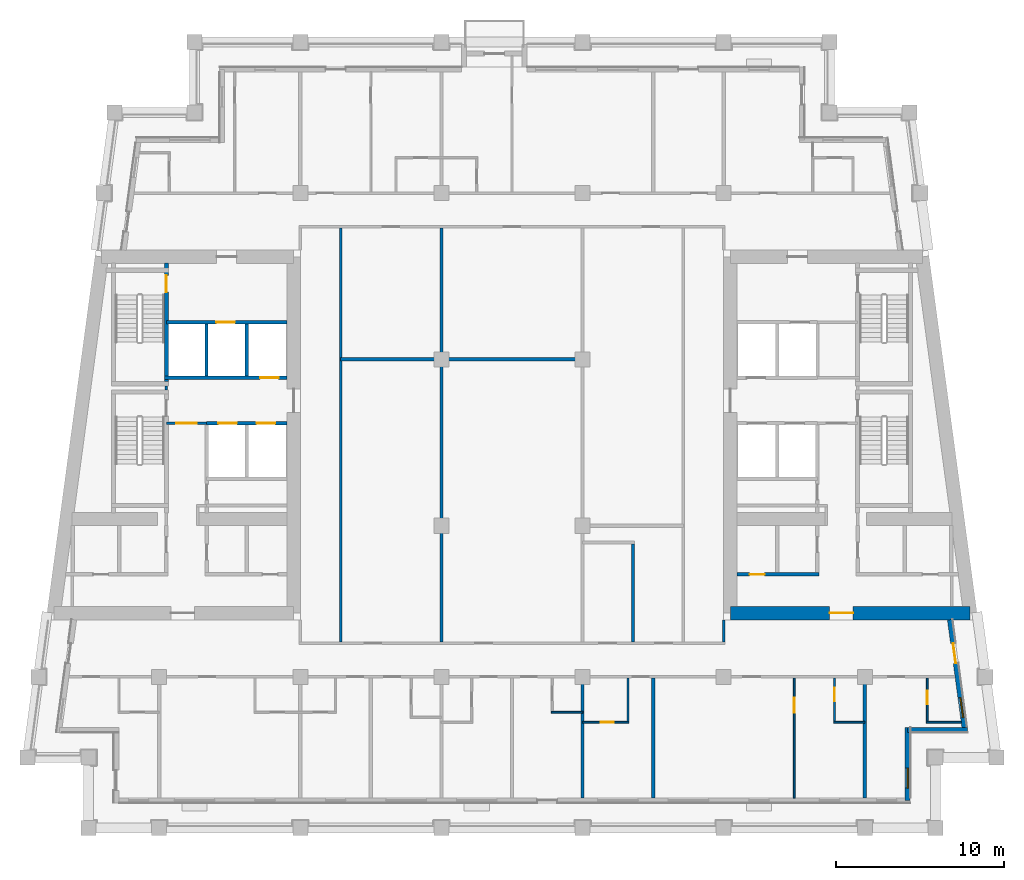
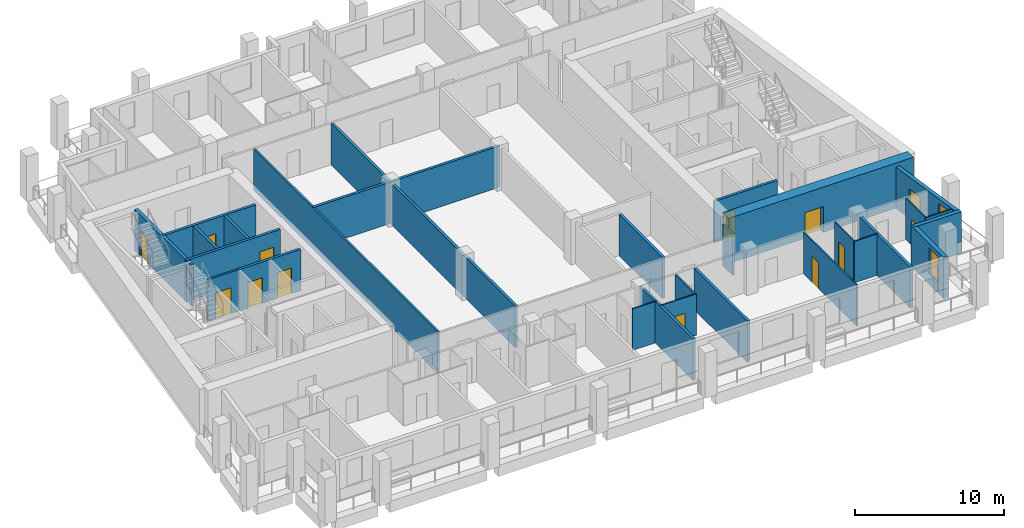
# One storey, part 4 of 13: 29 walls, 13 doors, 2 windows, 15 openings.
"""IFC4 building model written with IfcOpenShell, lengths in metres."""

from ifc_helpers import new_model, si_unit, direction, frame, frame_2d, origin, place, context, subcontext, project, spatial, rectangle, extrude, material, layer, layer_set, type_object, element, fill, save


model = new_model("IFC4")

# Units and contexts
model_context = context("Model", 3, precision=1e-05, world=origin(), true_north=direction((0.0, 1.0)))
body_context = subcontext(model_context, "Body", "Model", "MODEL_VIEW")
ifc_project = project(units=[si_unit("LENGTHUNIT", "METRE"), si_unit("AREAUNIT", "SQUARE_METRE"), si_unit("VOLUMEUNIT", "CUBIC_METRE"), si_unit("PLANEANGLEUNIT", "RADIAN"), si_unit("MASSUNIT", "GRAM", prefix="KILO")], contexts=[model_context])

# Site, building, storey
site_placement = place(None, origin())
site = spatial("IfcSite", under=ifc_project, at=site_placement, CompositionType="ELEMENT")
building_placement = place(site_placement, origin())
building = spatial("IfcBuilding", under=site, at=building_placement, Name="Candeia Pilgrim Tower and Theatre", CompositionType="ELEMENT")
storey_placement = place(building_placement, frame((0.0, 0.0, 239.199951171875)))
storey = spatial("IfcBuildingStorey", under=building, at=storey_placement, Name="L58", CompositionType="ELEMENT", Elevation=239.199951171875)

# Wall, opening, door
ifc_material_1 = material(Name="Concrete C50/60", Category="concrete")
ifc_layer_1 = layer(ifc_material_1, 0.800048828125)
ifc_layer_set_1 = layer_set([ifc_layer_1], Name="Core wall 800 C50/60")
wall_type_1 = type_object("IfcWallType", Name="Core wall 800 C50/60", PredefinedType="SHEAR", material=ifc_layer_set_1)
wall_1_placement = place(storey_placement, frame((140.67333984375, 110.800048828125, 0.0), z_axis=(0.0, 0.0, 1.0), x_axis=(-1.0, 0.0, 0.0)))
wall_1 = element("IfcWall", 1, at=wall_1_placement, inside=storey, type_object=wall_type_1, Name="Core wall E3", PredefinedType="SHEAR", context=body_context, shape_type="SweptSolid", body=[
    extrude(rectangle(XDim=14.2734375, YDim=0.800048828125, at=frame_2d((7.13671875, 0.0))), origin(), (0.0, 0.0, 1.0), 3.699951171875),
])
opening_1_placement = place(wall_1_placement, frame((6.96533203125, 0.0, 0.0)))
opening_1 = element("IfcOpeningElement", 2, at=opening_1_placement, cuts=wall_1, Name="Opening L58-D059", PredefinedType="OPENING", context=body_context, shape_type="SweptSolid", body=[
    extrude(rectangle(XDim=1.39990234375, YDim=2.10009765625, at=frame_2d((0.699951171875, 1.050048828125))), frame((0.0, 0.41015625, 0.0), z_axis=(0.0, -1.0, 0.0), x_axis=(1.0, 0.0, 0.0)), (0.0, 0.0, 1.0), 0.820068359375),
])
ifc_material_2 = material(Name="Steel fire door set", Category="steel")
door_type_1 = type_object("IfcDoorType", Name="D-1400-FD60", OperationType="NOTDEFINED", PredefinedType="DOOR", material=ifc_material_2)
door_1_placement = place(opening_1_placement, origin())
door_1 = element("IfcDoor", 3, at=door_1_placement, inside=storey, type_object=door_type_1, Name="Door L58-D059", OperationType="SINGLE_SWING_LEFT", OverallHeight=2.10009765625, OverallWidth=1.39990234375, PredefinedType="DOOR", context=body_context, shape_type="SweptSolid", body=[
    extrude(rectangle(XDim=1.39990234375, YDim=2.10009765625, at=frame_2d((0.699951171875, 1.050048828125))), frame((0.0, 0.02490234375, 0.0), z_axis=(0.0, -1.0, 0.0), x_axis=(1.0, 0.0, 0.0)), (0.0, 0.0, 1.0), 0.050048828125),
])
fill(opening_1, door_1)

# Wall, opening, window
ifc_material_3 = material(Name="Ceramic block masonry", Category="masonry")
ifc_layer_2 = layer(ifc_material_3, 0.300048828125)
ifc_layer_set_2 = layer_set([ifc_layer_2], Name="EW1 glazing-line wall 300")
wall_type_2 = type_object("IfcWallType", Name="EW1 glazing-line wall 300", PredefinedType="SOLIDWALL", material=ifc_layer_set_2)
wall_2_placement = place(storey_placement, frame((136.949951171875, 99.64990234375, 0.0), z_axis=(0.0, 0.0, 1.0), x_axis=(0.0, 1.0, 0.0)))
wall_2 = element("IfcWall", 4, at=wall_2_placement, inside=storey, type_object=wall_type_2, Name="External wall L58-1.0", PredefinedType="SOLIDWALL", context=body_context, shape_type="SweptSolid", body=[
    extrude(rectangle(XDim=4.35009765625, YDim=0.300048828125, at=frame_2d((2.175048828125, 0.0))), origin(), (0.0, 0.0, 1.0), 3.380126953125),
])
opening_2_placement = place(wall_2_placement, frame((0.72509765625, 0.0, 0.89990234375)))
opening_2 = element("IfcOpeningElement", 5, at=opening_2_placement, cuts=wall_2, Name="Opening W-B", PredefinedType="OPENING", context=body_context, shape_type="SweptSolid", body=[
    extrude(rectangle(XDim=1.199951171875, YDim=2.10009765625, at=frame_2d((0.60009765625, 1.050048828125))), frame((0.0, 0.16015625, 0.0), z_axis=(0.0, -1.0, 0.0), x_axis=(1.0, 0.0, 0.0)), (0.0, 0.0, 1.0), 0.320068359375),
])
ifc_material_4 = material(Name="Aluminium framed double glazing", Category="aluminium")
window_type = type_object("IfcWindowType", Name="W-B window 1200x2100", PartitioningType="SINGLE_PANEL", PredefinedType="WINDOW", material=ifc_material_4)
window_1_placement = place(opening_2_placement, origin())
window_1 = element("IfcWindow", 6, at=window_1_placement, inside=storey, type_object=window_type, Name="Window W-B L58", OverallHeight=2.10009765625, OverallWidth=1.199951171875, PartitioningType="SINGLE_PANEL", PredefinedType="WINDOW", context=body_context, shape_type="SweptSolid", body=[
    extrude(rectangle(XDim=1.199951171875, YDim=2.10009765625, at=frame_2d((0.60009765625, 1.050048828125))), frame((0.0, 0.030029296875, 0.0), z_axis=(0.0, -1.0, 0.0), x_axis=(1.0, 0.0, 0.0)), (0.0, 0.0, 1.0), 0.06005859375),
])
fill(opening_2, window_1)

# Wall
wall_3_placement = place(storey_placement, frame((136.949951171875, 103.85009765625, 0.0), z_axis=(0.0, 0.0, 1.0), x_axis=(1.0, 0.0, 0.0)))
element("IfcWall", 7, at=wall_3_placement, inside=storey, type_object=wall_type_2, Name="External wall L58-2.0", PredefinedType="SOLIDWALL", context=body_context, shape_type="SweptSolid", body=[
    extrude(rectangle(XDim=3.569091796875, YDim=0.300048828125, at=frame_2d((1.78466796875, 0.0))), origin(), (0.0, 0.0, 1.0), 3.380126953125),
])

# Wall, openings, door, window
wall_4_placement = place(storey_placement, frame((140.34765625, 103.85009765625, 0.0), z_axis=(0.0, 0.0, 1.0), x_axis=(-0.133431549479, 0.991058031401, 0.0)))
wall_4 = element("IfcWall", 8, at=wall_4_placement, inside=storey, type_object=wall_type_2, Name="External wall L58-3.0", PredefinedType="SOLIDWALL", context=body_context, shape_type="SweptSolid", body=[
    extrude(rectangle(XDim=6.60888671875, YDim=0.300048828125, at=frame_2d((3.304443359375, 0.0))), origin(), (0.0, 0.0, 1.0), 3.380126953125),
])
opening_3_placement = place(wall_4_placement, frame((0.736572265625, 0.0, 0.89990234375)))
opening_3 = element("IfcOpeningElement", 9, at=opening_3_placement, cuts=wall_4, Name="Opening W-B", PredefinedType="OPENING", context=body_context, shape_type="SweptSolid", body=[
    extrude(rectangle(XDim=1.199951171875, YDim=2.10009765625, at=frame_2d((0.60009765625, 1.050048828125))), frame((0.0, 0.16015625, 0.0), z_axis=(0.0, -1.0, 0.0), x_axis=(1.0, 0.0, 0.0)), (0.0, 0.0, 1.0), 0.320068359375),
])
opening_4_placement = place(wall_4_placement, frame((3.990966796875, 0.0, 0.0)))
opening_4 = element("IfcOpeningElement", 10, at=opening_4_placement, cuts=wall_4, Name="Opening L58-ED558", PredefinedType="OPENING", context=body_context, shape_type="SweptSolid", body=[
    extrude(rectangle(XDim=1.199951171875, YDim=2.39990234375, at=frame_2d((0.60009765625, 1.199951171875))), frame((0.0, 0.16015625, 0.0), z_axis=(0.0, -1.0, 0.0), x_axis=(1.0, 0.0, 0.0)), (0.0, 0.0, 1.0), 0.320068359375),
])
ifc_material_5 = material(Name="Aluminium framed glazed door", Category="aluminium")
door_type_2 = type_object("IfcDoorType", Name="Loggia door 1200x2400", OperationType="DOUBLE_DOOR_SINGLE_SWING", PredefinedType="DOOR", material=ifc_material_5)
door_2_placement = place(opening_4_placement, origin())
door_2 = element("IfcDoor", 11, at=door_2_placement, inside=storey, type_object=door_type_2, Name="Loggia door L58-ED558", OperationType="DOUBLE_DOOR_SINGLE_SWING", OverallHeight=2.39990234375, OverallWidth=1.199951171875, PredefinedType="DOOR", context=body_context, shape_type="SweptSolid", body=[
    extrude(rectangle(XDim=1.199951171875, YDim=2.39990234375, at=frame_2d((0.60009765625, 1.199951171875))), frame((0.0, 0.02490234375, 0.0), z_axis=(0.0, -1.0, 0.0), x_axis=(1.0, 0.0, 0.0)), (0.0, 0.0, 1.0), 0.050048828125),
])
fill(opening_4, door_2)
window_2_placement = place(opening_3_placement, origin())
window_2 = element("IfcWindow", 12, at=window_2_placement, inside=storey, type_object=window_type, Name="Window W-B L58", OverallHeight=2.10009765625, OverallWidth=1.199951171875, PartitioningType="SINGLE_PANEL", PredefinedType="WINDOW", context=body_context, shape_type="SweptSolid", body=[
    extrude(rectangle(XDim=1.199951171875, YDim=2.10009765625, at=frame_2d((0.60009765625, 1.050048828125))), frame((0.0, 0.030029296875, 0.0), z_axis=(0.0, -1.0, 0.0), x_axis=(1.0, 0.0, 0.0)), (0.0, 0.0, 1.0), 0.06005859375),
])
fill(opening_3, window_2)

# Wall, opening, door
ifc_material_6 = material(Name="Gypsum board partition on steel studs", Category="steel")
ifc_layer_3 = layer(ifc_material_6, 0.10009765625)
ifc_layer_set_3 = layer_set([ifc_layer_3], Name="PW-100 room partition")
wall_type_3 = type_object("IfcWallType", Name="PW-100 room partition", PredefinedType="PARTITIONING", material=ifc_layer_set_3)
wall_5_placement = place(storey_placement, frame((117.60009765625, 104.300048828125, 0.0), z_axis=(0.0, 0.0, 1.0), x_axis=(1.0, 0.0, 0.0)))
wall_5 = element("IfcWall", 13, at=wall_5_placement, inside=storey, type_object=wall_type_3, Name="Room partition L58-002", PredefinedType="PARTITIONING", context=body_context, shape_type="SweptSolid", body=[
    extrude(rectangle(XDim=2.75, YDim=0.10009765625, at=frame_2d((1.375, 0.0))), origin(), (0.0, 0.0, 1.0), 3.380126953125),
])
opening_5_placement = place(wall_5_placement, frame((1.070068359375, 0.0, 0.0)))
opening_5 = element("IfcOpeningElement", 14, at=opening_5_placement, cuts=wall_5, Name="Opening L58-D030", PredefinedType="OPENING", context=body_context, shape_type="SweptSolid", body=[
    extrude(rectangle(XDim=0.800048828125, YDim=2.10009765625, at=frame_2d((0.39990234375, 1.050048828125))), frame((0.0, 0.06005859375, 0.0), z_axis=(0.0, -1.0, 0.0), x_axis=(1.0, 0.0, 0.0)), (0.0, 0.0, 1.0), 0.1201171875),
])
ifc_material_7 = material(Name="Timber door leaf", Category="wood")
door_type_3 = type_object("IfcDoorType", Name="D-800", OperationType="NOTDEFINED", PredefinedType="DOOR", material=ifc_material_7)
door_3_placement = place(opening_5_placement, origin())
door_3 = element("IfcDoor", 15, at=door_3_placement, inside=storey, type_object=door_type_3, Name="Door L58-D030", OperationType="SINGLE_SWING_RIGHT", OverallHeight=2.10009765625, OverallWidth=0.800048828125, PredefinedType="DOOR", context=body_context, shape_type="SweptSolid", body=[
    extrude(rectangle(XDim=0.800048828125, YDim=2.10009765625, at=frame_2d((0.39990234375, 1.050048828125))), frame((0.0, 0.02490234375, 0.0), z_axis=(0.0, -1.0, 0.0), x_axis=(1.0, 0.0, 0.0)), (0.0, 0.0, 1.0), 0.050048828125),
])
fill(opening_5, door_3)

# Walls
wall_6_placement = place(storey_placement, frame((132.550048828125, 104.300048828125, 0.0), z_axis=(0.0, 0.0, 1.0), x_axis=(1.0, 0.0, 0.0)))
element("IfcWall", 16, at=wall_6_placement, inside=storey, type_object=wall_type_3, Name="Room partition L58-003", PredefinedType="PARTITIONING", context=body_context, shape_type="SweptSolid", body=[
    extrude(rectangle(XDim=1.849853515625, YDim=0.10009765625, at=frame_2d((0.9248046875, 0.0))), origin(), (0.0, 0.0, 1.0), 3.380126953125),
])
wall_7_placement = place(storey_placement, frame((138.070068359375, 104.300048828125, 0.0), z_axis=(0.0, 0.0, 1.0), x_axis=(1.0, 0.0, 0.0)))
element("IfcWall", 17, at=wall_7_placement, inside=storey, type_object=wall_type_3, Name="Room partition L58-004", PredefinedType="PARTITIONING", context=body_context, shape_type="SweptSolid", body=[
    extrude(rectangle(XDim=2.07568359375, YDim=0.10009765625, at=frame_2d((1.037841796875, 0.0))), origin(), (0.0, 0.0, 1.0), 3.380126953125),
])
wall_8_placement = place(storey_placement, frame((115.75, 104.89990234375, 0.0), z_axis=(0.0, 0.0, 1.0), x_axis=(1.0, 0.0, 0.0)))
element("IfcWall", 18, at=wall_8_placement, inside=storey, type_object=wall_type_3, Name="Room partition L58-008", PredefinedType="PARTITIONING", context=body_context, shape_type="SweptSolid", body=[
    extrude(rectangle(XDim=1.85009765625, YDim=0.10009765625, at=frame_2d((0.925048828125, 0.0))), origin(), (0.0, 0.0, 1.0), 3.380126953125),
])
wall_9_placement = place(storey_placement, frame((120.300048828125, 104.35009765625, 0.0), z_axis=(0.0, 0.0, 1.0), x_axis=(0.0, 1.0, 0.0)))
element("IfcWall", 19, at=wall_9_placement, inside=storey, type_object=wall_type_3, Name="Room partition L58-089", PredefinedType="PARTITIONING", context=body_context, shape_type="SweptSolid", body=[
    extrude(rectangle(XDim=2.574951171875, YDim=0.10009765625, at=frame_2d((1.28759765625, 0.0))), origin(), (0.0, 0.0, 1.0), 3.380126953125),
])

# Wall, opening, door
wall_10_placement = place(storey_placement, frame((130.199951171875, 99.7900390625, 0.0), z_axis=(0.0, 0.0, 1.0), x_axis=(0.0, 1.0, 0.0)))
wall_10 = element("IfcWall", 20, at=wall_10_placement, inside=storey, type_object=wall_type_3, Name="Room partition L58-100", PredefinedType="PARTITIONING", context=body_context, shape_type="SweptSolid", body=[
    extrude(rectangle(XDim=7.135009765625, YDim=0.10009765625, at=frame_2d((3.5673828125, 0.0))), origin(), (0.0, 0.0, 1.0), 3.380126953125),
])
opening_6_placement = place(wall_10_placement, frame((5.074951171875, 0.0, 0.0)))
opening_6 = element("IfcOpeningElement", 21, at=opening_6_placement, cuts=wall_10, Name="Opening L58-D032", PredefinedType="OPENING", context=body_context, shape_type="SweptSolid", body=[
    extrude(rectangle(XDim=0.89990234375, YDim=2.10009765625, at=frame_2d((0.449951171875, 1.050048828125))), frame((0.0, 0.06005859375, 0.0), z_axis=(0.0, -1.0, 0.0), x_axis=(1.0, 0.0, 0.0)), (0.0, 0.0, 1.0), 0.1201171875),
])
door_type_4 = type_object("IfcDoorType", Name="D-900", OperationType="NOTDEFINED", PredefinedType="DOOR", material=ifc_material_7)
door_4_placement = place(opening_6_placement, origin())
door_4 = element("IfcDoor", 22, at=door_4_placement, inside=storey, type_object=door_type_4, Name="Door L58-D032", OperationType="SINGLE_SWING_RIGHT", OverallHeight=2.10009765625, OverallWidth=0.89990234375, PredefinedType="DOOR", context=body_context, shape_type="SweptSolid", body=[
    extrude(rectangle(XDim=0.89990234375, YDim=2.10009765625, at=frame_2d((0.449951171875, 1.050048828125))), frame((0.0, 0.02490234375, 0.0), z_axis=(0.0, -1.0, 0.0), x_axis=(1.0, 0.0, 0.0)), (0.0, 0.0, 1.0), 0.050048828125),
])
fill(opening_6, door_4)

wall_11_placement = place(storey_placement, frame((132.60009765625, 104.35009765625, 0.0), z_axis=(0.0, 0.0, 1.0), x_axis=(0.0, 1.0, 0.0)))
wall_11 = element("IfcWall", 23, at=wall_11_placement, inside=storey, type_object=wall_type_3, Name="Room partition L58-106", PredefinedType="PARTITIONING", context=body_context, shape_type="SweptSolid", body=[
    extrude(rectangle(XDim=2.574951171875, YDim=0.10009765625, at=frame_2d((1.28759765625, 0.0))), origin(), (0.0, 0.0, 1.0), 3.380126953125),
])
opening_7_placement = place(wall_11_placement, frame((1.199951171875, 0.0, 0.0)))
opening_7 = element("IfcOpeningElement", 24, at=opening_7_placement, cuts=wall_11, Name="Opening L58-D033", PredefinedType="OPENING", context=body_context, shape_type="SweptSolid", body=[
    extrude(rectangle(XDim=0.800048828125, YDim=2.10009765625, at=frame_2d((0.39990234375, 1.050048828125))), frame((0.0, 0.06005859375, 0.0), z_axis=(0.0, -1.0, 0.0), x_axis=(1.0, 0.0, 0.0)), (0.0, 0.0, 1.0), 0.1201171875),
])
door_5_placement = place(opening_7_placement, origin())
door_5 = element("IfcDoor", 25, at=door_5_placement, inside=storey, type_object=door_type_3, Name="Door L58-D033", OperationType="SINGLE_SWING_LEFT", OverallHeight=2.10009765625, OverallWidth=0.800048828125, PredefinedType="DOOR", context=body_context, shape_type="SweptSolid", body=[
    extrude(rectangle(XDim=0.800048828125, YDim=2.10009765625, at=frame_2d((0.39990234375, 1.050048828125))), frame((0.0, 0.02490234375, 0.0), z_axis=(0.0, -1.0, 0.0), x_axis=(1.0, 0.0, 0.0)), (0.0, 0.0, 1.0), 0.050048828125),
])
fill(opening_7, door_5)

wall_12_placement = place(storey_placement, frame((138.1201171875, 104.35009765625, 0.0), z_axis=(0.0, 0.0, 1.0), x_axis=(0.0, 1.0, 0.0)))
wall_12 = element("IfcWall", 26, at=wall_12_placement, inside=storey, type_object=wall_type_3, Name="Room partition L58-117", PredefinedType="PARTITIONING", context=body_context, shape_type="SweptSolid", body=[
    extrude(rectangle(XDim=2.574951171875, YDim=0.10009765625, at=frame_2d((1.28759765625, 0.0))), origin(), (0.0, 0.0, 1.0), 3.380126953125),
])
opening_8_placement = place(wall_12_placement, frame((1.02001953125, 0.0, 0.0)))
opening_8 = element("IfcOpeningElement", 27, at=opening_8_placement, cuts=wall_12, Name="Opening L58-D035", PredefinedType="OPENING", context=body_context, shape_type="SweptSolid", body=[
    extrude(rectangle(XDim=0.800048828125, YDim=2.10009765625, at=frame_2d((0.39990234375, 1.050048828125))), frame((0.0, 0.06005859375, 0.0), z_axis=(0.0, -1.0, 0.0), x_axis=(1.0, 0.0, 0.0)), (0.0, 0.0, 1.0), 0.1201171875),
])
door_6_placement = place(opening_8_placement, origin())
door_6 = element("IfcDoor", 28, at=door_6_placement, inside=storey, type_object=door_type_3, Name="Door L58-D035", OperationType="SINGLE_SWING_LEFT", OverallHeight=2.10009765625, OverallWidth=0.800048828125, PredefinedType="DOOR", context=body_context, shape_type="SweptSolid", body=[
    extrude(rectangle(XDim=0.800048828125, YDim=2.10009765625, at=frame_2d((0.39990234375, 1.050048828125))), frame((0.0, 0.02490234375, 0.0), z_axis=(0.0, -1.0, 0.0), x_axis=(1.0, 0.0, 0.0)), (0.0, 0.0, 1.0), 0.050048828125),
])
fill(opening_8, door_6)

ifc_layer_4 = layer(ifc_material_6, 0.14990234375)
ifc_layer_set_4 = layer_set([ifc_layer_4], Name="PW-150 lobby wall")
wall_type_4 = type_object("IfcWallType", Name="PW-150 lobby wall", PredefinedType="PARTITIONING", material=ifc_layer_set_4)
wall_13_placement = place(storey_placement, frame((92.826904296875, 122.10009765625, 0.0), z_axis=(0.0, 0.0, 1.0), x_axis=(1.0, 0.0, 0.0)))
wall_13 = element("IfcWall", 29, at=wall_13_placement, inside=storey, type_object=wall_type_4, Name="Lobby wall L58-027", PredefinedType="PARTITIONING", context=body_context, shape_type="SweptSolid", body=[
    extrude(rectangle(XDim=2.400146484375, YDim=0.14990234375, at=frame_2d((1.2001953125, 0.0))), origin(), (0.0, 0.0, 1.0), 3.380126953125),
])
opening_9_placement = place(wall_13_placement, frame((0.60009765625, 0.0, 0.0)))
opening_9 = element("IfcOpeningElement", 30, at=opening_9_placement, cuts=wall_13, Name="Opening L58-D001", PredefinedType="OPENING", context=body_context, shape_type="SweptSolid", body=[
    extrude(rectangle(XDim=1.199951171875, YDim=2.10009765625, at=frame_2d((0.60009765625, 1.050048828125))), frame((0.0, 0.0849609375, 0.0), z_axis=(0.0, -1.0, 0.0), x_axis=(1.0, 0.0, 0.0)), (0.0, 0.0, 1.0), 0.169921875),
])
door_type_5 = type_object("IfcDoorType", Name="D-1200-FD60", OperationType="NOTDEFINED", PredefinedType="DOOR", material=ifc_material_2)
door_7_placement = place(opening_9_placement, origin())
door_7 = element("IfcDoor", 31, at=door_7_placement, inside=storey, type_object=door_type_5, Name="Door L58-D001", OperationType="SINGLE_SWING_LEFT", OverallHeight=2.10009765625, OverallWidth=1.199951171875, PredefinedType="DOOR", context=body_context, shape_type="SweptSolid", body=[
    extrude(rectangle(XDim=1.199951171875, YDim=2.10009765625, at=frame_2d((0.60009765625, 1.050048828125))), frame((0.0, 0.02490234375, 0.0), z_axis=(0.0, -1.0, 0.0), x_axis=(1.0, 0.0, 0.0)), (0.0, 0.0, 1.0), 0.050048828125),
])
fill(opening_9, door_7)

# Walls
wall_14_placement = place(storey_placement, frame((92.826904296875, 124.074951171875, 0.0), z_axis=(0.0, 0.0, 1.0), x_axis=(0.0, 1.0, 0.0)))
element("IfcWall", 32, at=wall_14_placement, inside=storey, type_object=wall_type_4, Name="Lobby wall L58-056", PredefinedType="PARTITIONING", context=body_context, shape_type="SweptSolid", body=[
    extrude(rectangle(XDim=0.25, YDim=0.14990234375, at=frame_2d((0.125, 0.0))), origin(), (0.0, 0.0, 1.0), 3.380126953125),
])
ifc_layer_5 = layer(ifc_material_6, 0.14990234375)
ifc_layer_set_5 = layer_set([ifc_layer_5], Name="PW-150 unit wall")
wall_type_5 = type_object("IfcWallType", Name="PW-150 unit wall", PredefinedType="PARTITIONING", material=ifc_layer_set_5)
wall_15_placement = place(storey_placement, frame((103.199951171875, 109.074951171875, 0.0), z_axis=(0.0, 0.0, 1.0), x_axis=(0.0, 1.0, 0.0)))
element("IfcWall", 33, at=wall_15_placement, inside=storey, type_object=wall_type_5, Name="Unit wall L58-074", PredefinedType="PARTITIONING", context=body_context, shape_type="SweptSolid", body=[
    extrude(rectangle(XDim=24.650146484375, YDim=0.14990234375, at=frame_2d((12.3251953125, 0.0))), origin(), (0.0, 0.0, 1.0), 3.380126953125),
])
wall_16_placement = place(storey_placement, frame((126.0, 109.074951171875, 0.0), z_axis=(0.0, 0.0, 1.0), x_axis=(0.0, 1.0, 0.0)))
element("IfcWall", 34, at=wall_16_placement, inside=storey, type_object=wall_type_5, Name="Unit wall L58-095", PredefinedType="PARTITIONING", context=body_context, shape_type="SweptSolid", body=[
    extrude(rectangle(XDim=1.324951171875, YDim=0.14990234375, at=frame_2d((0.66259765625, 0.0))), origin(), (0.0, 0.0, 1.0), 3.380126953125),
])
ifc_layer_6 = layer(ifc_material_6, 0.199951171875)
ifc_layer_set_6 = layer_set([ifc_layer_6], Name="PW-200 party wall")
wall_type_6 = type_object("IfcWallType", Name="PW-200 party wall", PredefinedType="PARTITIONING", material=ifc_layer_set_6)
wall_17_placement = place(storey_placement, frame((103.199951171875, 125.89990234375, 0.0), z_axis=(0.0, 0.0, 1.0), x_axis=(1.0, 0.0, 0.0)))
element("IfcWall", 35, at=wall_17_placement, inside=storey, type_object=wall_type_6, Name="Party wall L58-036", PredefinedType="PARTITIONING", context=body_context, shape_type="SweptSolid", body=[
    extrude(rectangle(XDim=14.400146484375, YDim=0.199951171875, at=frame_2d((7.2001953125, 0.0))), origin(), (0.0, 0.0, 1.0), 3.380126953125),
])
wall_18_placement = place(storey_placement, frame((109.199951171875, 109.074951171875, 0.0), z_axis=(0.0, 0.0, 1.0), x_axis=(0.0, 1.0, 0.0)))
element("IfcWall", 36, at=wall_18_placement, inside=storey, type_object=wall_type_6, Name="Party wall L58-080", PredefinedType="PARTITIONING", context=body_context, shape_type="SweptSolid", body=[
    extrude(rectangle(XDim=24.650146484375, YDim=0.199951171875, at=frame_2d((12.3251953125, 0.0))), origin(), (0.0, 0.0, 1.0), 3.380126953125),
])
wall_19_placement = place(storey_placement, frame((117.60009765625, 99.7900390625, 0.0), z_axis=(0.0, 0.0, 1.0), x_axis=(0.0, 1.0, 0.0)))
element("IfcWall", 37, at=wall_19_placement, inside=storey, type_object=wall_type_6, Name="Party wall L58-087", PredefinedType="PARTITIONING", context=body_context, shape_type="SweptSolid", body=[
    extrude(rectangle(XDim=7.135009765625, YDim=0.199951171875, at=frame_2d((3.5673828125, 0.0))), origin(), (0.0, 0.0, 1.0), 3.380126953125),
])
wall_20_placement = place(storey_placement, frame((120.60009765625, 109.074951171875, 0.0), z_axis=(0.0, 0.0, 1.0), x_axis=(0.0, 1.0, 0.0)))
element("IfcWall", 38, at=wall_20_placement, inside=storey, type_object=wall_type_6, Name="Party wall L58-090", PredefinedType="PARTITIONING", context=body_context, shape_type="SweptSolid", body=[
    extrude(rectangle(XDim=5.824951171875, YDim=0.199951171875, at=frame_2d((2.91259765625, 0.0))), origin(), (0.0, 0.0, 1.0), 3.380126953125),
])
for number, where, z_axis, x_axis, name in (
    (39, (121.800048828125, 99.7900390625, 0.0), (0.0, 0.0, 1.0), (0.0, 1.0, 0.0), "Party wall L58-091"),
    (40, (134.39990234375, 99.7900390625, 0.0), (0.0, 0.0, 1.0), (0.0, 1.0, 0.0), "Party wall L58-113"),
):
    element("IfcWall", number, at=place(storey_placement, frame(where, z_axis=z_axis, x_axis=x_axis)), inside=storey, type_object=wall_type_6, Name=name, PredefinedType="PARTITIONING", context=body_context, shape_type="SweptSolid", body=[
        extrude(rectangle(XDim=7.135009765625, YDim=0.199951171875, at=frame_2d((3.5673828125, 0.0))), origin(), (0.0, 0.0, 1.0), 3.380126953125),
    ])

# Wall, opening, door
ifc_material_8 = material(Name="Concrete C40/50", Category="concrete")
ifc_layer_7 = layer(ifc_material_8, 0.199951171875)
ifc_layer_set_7 = layer_set([ifc_layer_7], Name="SW-200 shaft wall")
wall_type_7 = type_object("IfcWallType", Name="SW-200 shaft wall", PredefinedType="PARTITIONING", material=ifc_layer_set_7)
wall_21_placement = place(storey_placement, frame((126.800048828125, 113.10009765625, 0.0), z_axis=(0.0, 0.0, 1.0), x_axis=(1.0, 0.0, 0.0)))
wall_21 = element("IfcWall", 41, at=wall_21_placement, inside=storey, type_object=wall_type_7, Name="Shaft wall L58-013", PredefinedType="PARTITIONING", context=body_context, shape_type="SweptSolid", body=[
    extrude(rectangle(XDim=4.873046875, YDim=0.199951171875, at=frame_2d((2.4365234375, 0.0))), origin(), (0.0, 0.0, 1.0), 3.380126953125),
])
opening_10_placement = place(wall_21_placement, frame((0.742919921875, 0.0, 0.0)))
opening_10 = element("IfcOpeningElement", 42, at=opening_10_placement, cuts=wall_21, Name="Opening L58-D016", PredefinedType="OPENING", context=body_context, shape_type="SweptSolid", body=[
    extrude(rectangle(XDim=0.89990234375, YDim=2.10009765625, at=frame_2d((0.449951171875, 1.050048828125))), frame((0.0, 0.10986328125, 0.0), z_axis=(0.0, -1.0, 0.0), x_axis=(1.0, 0.0, 0.0)), (0.0, 0.0, 1.0), 0.219970703125),
])
door_type_6 = type_object("IfcDoorType", Name="D-900-FD60", OperationType="NOTDEFINED", PredefinedType="DOOR", material=ifc_material_2)
door_8_placement = place(opening_10_placement, origin())
door_8 = element("IfcDoor", 43, at=door_8_placement, inside=storey, type_object=door_type_6, Name="Door L58-D016", OperationType="SINGLE_SWING_RIGHT", OverallHeight=2.10009765625, OverallWidth=0.89990234375, PredefinedType="DOOR", context=body_context, shape_type="SweptSolid", body=[
    extrude(rectangle(XDim=0.89990234375, YDim=2.10009765625, at=frame_2d((0.449951171875, 1.050048828125))), frame((0.0, 0.02490234375, 0.0), z_axis=(0.0, -1.0, 0.0), x_axis=(1.0, 0.0, 0.0)), (0.0, 0.0, 1.0), 0.050048828125),
])
fill(opening_10, door_8)

# Wall, openings, doors
wall_22_placement = place(storey_placement, frame((95.22705078125, 122.10009765625, 0.0), z_axis=(0.0, 0.0, 1.0), x_axis=(1.0, 0.0, 0.0)))
wall_22 = element("IfcWall", 44, at=wall_22_placement, inside=storey, type_object=wall_type_7, Name="Shaft wall L58-025", PredefinedType="PARTITIONING", context=body_context, shape_type="SweptSolid", body=[
    extrude(rectangle(XDim=4.77294921875, YDim=0.199951171875, at=frame_2d((2.386474609375, 0.0))), origin(), (0.0, 0.0, 1.0), 3.380126953125),
])
opening_11_placement = place(wall_22_placement, frame((0.701904296875, 0.0, 0.0)))
opening_11 = element("IfcOpeningElement", 45, at=opening_11_placement, cuts=wall_22, Name="Opening L58-LD01", PredefinedType="OPENING", context=body_context, shape_type="SweptSolid", body=[
    extrude(rectangle(XDim=1.10009765625, YDim=2.10009765625, at=frame_2d((0.550048828125, 1.050048828125))), frame((0.0, 0.10986328125, 0.0), z_axis=(0.0, -1.0, 0.0), x_axis=(1.0, 0.0, 0.0)), (0.0, 0.0, 1.0), 0.219970703125),
])
opening_12_placement = place(wall_22_placement, frame((2.970947265625, 0.0, 0.0)))
opening_12 = element("IfcOpeningElement", 46, at=opening_12_placement, cuts=wall_22, Name="Opening L58-LD02", PredefinedType="OPENING", context=body_context, shape_type="SweptSolid", body=[
    extrude(rectangle(XDim=1.10009765625, YDim=2.10009765625, at=frame_2d((0.550048828125, 1.050048828125))), frame((0.0, 0.10986328125, 0.0), z_axis=(0.0, -1.0, 0.0), x_axis=(1.0, 0.0, 0.0)), (0.0, 0.0, 1.0), 0.219970703125),
])
ifc_material_9 = material(Name="Glazed aluminium landing door", Category="aluminium")
door_type_7 = type_object("IfcDoorType", Name="LD-1100-EI120", OperationType="SLIDING_TO_LEFT", PredefinedType="DOOR", material=ifc_material_9)
door_9_placement = place(opening_11_placement, origin())
door_9 = element("IfcDoor", 47, at=door_9_placement, inside=storey, type_object=door_type_7, Name="Landing door 01 L58", OperationType="SLIDING_TO_LEFT", OverallHeight=2.10009765625, OverallWidth=1.10009765625, PredefinedType="DOOR", context=body_context, shape_type="SweptSolid", body=[
    extrude(rectangle(XDim=1.10009765625, YDim=2.10009765625, at=frame_2d((0.550048828125, 1.050048828125))), frame((0.0, 0.02490234375, 0.0), z_axis=(0.0, -1.0, 0.0), x_axis=(1.0, 0.0, 0.0)), (0.0, 0.0, 1.0), 0.050048828125),
])
fill(opening_11, door_9)
door_10_placement = place(opening_12_placement, origin())
door_10 = element("IfcDoor", 48, at=door_10_placement, inside=storey, type_object=door_type_7, Name="Landing door 02 L58", OperationType="SLIDING_TO_LEFT", OverallHeight=2.10009765625, OverallWidth=1.10009765625, PredefinedType="DOOR", context=body_context, shape_type="SweptSolid", body=[
    extrude(rectangle(XDim=1.10009765625, YDim=2.10009765625, at=frame_2d((0.550048828125, 1.050048828125))), frame((0.0, 0.02490234375, 0.0), z_axis=(0.0, -1.0, 0.0), x_axis=(1.0, 0.0, 0.0)), (0.0, 0.0, 1.0), 0.050048828125),
])
fill(opening_12, door_10)

# Wall, opening, door
wall_23_placement = place(storey_placement, frame((92.701904296875, 124.800048828125, 0.0), z_axis=(0.0, 0.0, 1.0), x_axis=(1.0, 0.0, 0.0)))
wall_23 = element("IfcWall", 49, at=wall_23_placement, inside=storey, type_object=wall_type_7, Name="Shaft wall L58-033", PredefinedType="PARTITIONING", context=body_context, shape_type="SweptSolid", body=[
    extrude(rectangle(XDim=7.298095703125, YDim=0.199951171875, at=frame_2d((3.64892578125, 0.0))), origin(), (0.0, 0.0, 1.0), 3.380126953125),
])
opening_13_placement = place(wall_23_placement, frame((5.699951171875, 0.0, 0.0)))
opening_13 = element("IfcOpeningElement", 50, at=opening_13_placement, cuts=wall_23, Name="Opening L58-LD04", PredefinedType="OPENING", context=body_context, shape_type="SweptSolid", body=[
    extrude(rectangle(XDim=1.10009765625, YDim=2.10009765625, at=frame_2d((0.550048828125, 1.050048828125))), frame((0.0, 0.10986328125, 0.0), z_axis=(0.0, -1.0, 0.0), x_axis=(1.0, 0.0, 0.0)), (0.0, 0.0, 1.0), 0.219970703125),
])
door_11_placement = place(opening_13_placement, origin())
door_11 = element("IfcDoor", 51, at=door_11_placement, inside=storey, type_object=door_type_7, Name="Landing door 04 L58", OperationType="SLIDING_TO_LEFT", OverallHeight=2.10009765625, OverallWidth=1.10009765625, PredefinedType="DOOR", context=body_context, shape_type="SweptSolid", body=[
    extrude(rectangle(XDim=1.10009765625, YDim=2.10009765625, at=frame_2d((0.550048828125, 1.050048828125))), frame((0.0, 0.02490234375, 0.0), z_axis=(0.0, -1.0, 0.0), x_axis=(1.0, 0.0, 0.0)), (0.0, 0.0, 1.0), 0.050048828125),
])
fill(opening_13, door_11)

wall_24_placement = place(storey_placement, frame((92.826904296875, 128.10009765625, 0.0), z_axis=(0.0, 0.0, 1.0), x_axis=(1.0, 0.0, 0.0)))
wall_24 = element("IfcWall", 52, at=wall_24_placement, inside=storey, type_object=wall_type_7, Name="Shaft wall L58-037", PredefinedType="PARTITIONING", context=body_context, shape_type="SweptSolid", body=[
    extrude(rectangle(XDim=7.173095703125, YDim=0.199951171875, at=frame_2d((3.58642578125, 0.0))), origin(), (0.0, 0.0, 1.0), 3.380126953125),
])
opening_14_placement = place(wall_24_placement, frame((2.97705078125, 0.0, 0.0)))
opening_14 = element("IfcOpeningElement", 53, at=opening_14_placement, cuts=wall_24, Name="Opening L58-LD03", PredefinedType="OPENING", context=body_context, shape_type="SweptSolid", body=[
    extrude(rectangle(XDim=1.10009765625, YDim=2.10009765625, at=frame_2d((0.550048828125, 1.050048828125))), frame((0.0, 0.10986328125, 0.0), z_axis=(0.0, -1.0, 0.0), x_axis=(1.0, 0.0, 0.0)), (0.0, 0.0, 1.0), 0.219970703125),
])
door_12_placement = place(opening_14_placement, origin())
door_12 = element("IfcDoor", 54, at=door_12_placement, inside=storey, type_object=door_type_7, Name="Landing door 03 L58", OperationType="SLIDING_TO_LEFT", OverallHeight=2.10009765625, OverallWidth=1.10009765625, PredefinedType="DOOR", context=body_context, shape_type="SweptSolid", body=[
    extrude(rectangle(XDim=1.10009765625, YDim=2.10009765625, at=frame_2d((0.550048828125, 1.050048828125))), frame((0.0, 0.02490234375, 0.0), z_axis=(0.0, -1.0, 0.0), x_axis=(1.0, 0.0, 0.0)), (0.0, 0.0, 1.0), 0.050048828125),
])
fill(opening_14, door_12)

# Walls
for number, where, z_axis, x_axis, name in (
    (55, (95.218017578125, 124.89990234375, 0.0), (0.0, 0.0, 1.0), (0.0, 1.0, 0.0), "Shaft wall L58-061"),
    (56, (97.60888671875, 124.89990234375, 0.0), (0.0, 0.0, 1.0), (0.0, 1.0, 0.0), "Shaft wall L58-065"),
):
    element("IfcWall", number, at=place(storey_placement, frame(where, z_axis=z_axis, x_axis=x_axis)), inside=storey, type_object=wall_type_7, Name=name, PredefinedType="PARTITIONING", context=body_context, shape_type="SweptSolid", body=[
        extrude(rectangle(XDim=3.10009765625, YDim=0.199951171875, at=frame_2d((1.550048828125, 0.0))), origin(), (0.0, 0.0, 1.0), 3.380126953125),
    ])

# Wall, opening, door
ifc_layer_8 = layer(ifc_material_8, 0.25)
ifc_layer_set_8 = layer_set([ifc_layer_8], Name="SW-250 stair wall")
wall_type_8 = type_object("IfcWallType", Name="SW-250 stair wall", PredefinedType="PARTITIONING", material=ifc_layer_set_8)
wall_25_placement = place(storey_placement, frame((92.826904296875, 124.574951171875, 0.0), z_axis=(0.0, 0.0, 1.0), x_axis=(0.0, 1.0, 0.0)))
wall_25 = element("IfcWall", 57, at=wall_25_placement, inside=storey, type_object=wall_type_8, Name="Stair wall L58-058", PredefinedType="PARTITIONING", context=body_context, shape_type="SweptSolid", body=[
    extrude(rectangle(XDim=7.054931640625, YDim=0.25, at=frame_2d((3.52734375, 0.0))), origin(), (0.0, 0.0, 1.0), 3.380126953125),
])
opening_15_placement = place(wall_25_placement, frame((5.324951171875, 0.0, 0.0)))
opening_15 = element("IfcOpeningElement", 58, at=opening_15_placement, cuts=wall_25, Name="Opening L58-D003", PredefinedType="OPENING", context=body_context, shape_type="SweptSolid", body=[
    extrude(rectangle(XDim=1.0, YDim=2.10009765625, at=frame_2d((0.5, 1.050048828125))), frame((0.0, 0.135009765625, 0.0), z_axis=(0.0, -1.0, 0.0), x_axis=(1.0, 0.0, 0.0)), (0.0, 0.0, 1.0), 0.27001953125),
])
door_type_8 = type_object("IfcDoorType", Name="D-1000-FD60", OperationType="NOTDEFINED", PredefinedType="DOOR", material=ifc_material_2)
door_13_placement = place(opening_15_placement, origin())
door_13 = element("IfcDoor", 59, at=door_13_placement, inside=storey, type_object=door_type_8, Name="Door L58-D003", OperationType="SINGLE_SWING_LEFT", OverallHeight=2.10009765625, OverallWidth=1.0, PredefinedType="DOOR", context=body_context, shape_type="SweptSolid", body=[
    extrude(rectangle(XDim=1.0, YDim=2.10009765625, at=frame_2d((0.5, 1.050048828125))), frame((0.0, 0.02490234375, 0.0), z_axis=(0.0, -1.0, 0.0), x_axis=(1.0, 0.0, 0.0)), (0.0, 0.0, 1.0), 0.050048828125),
])
fill(opening_15, door_13)

save(model, "model.ifc")
